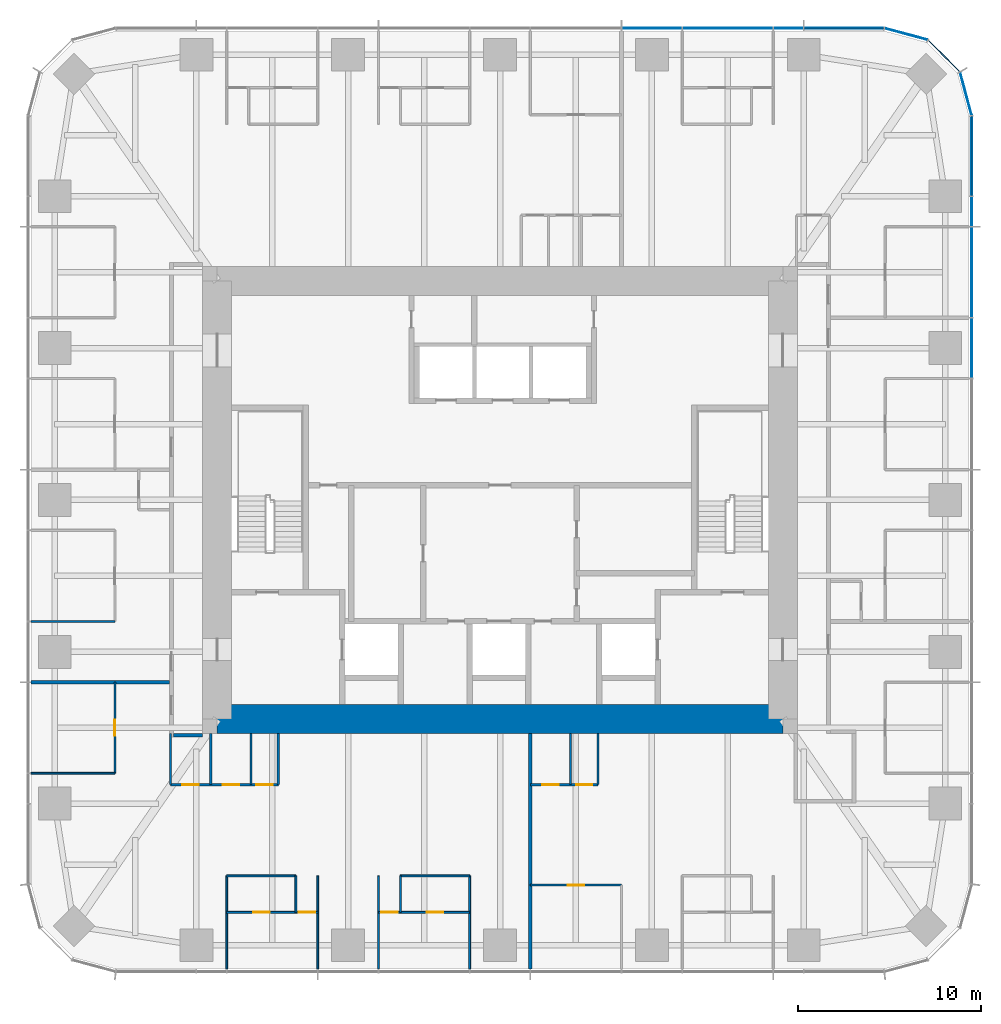
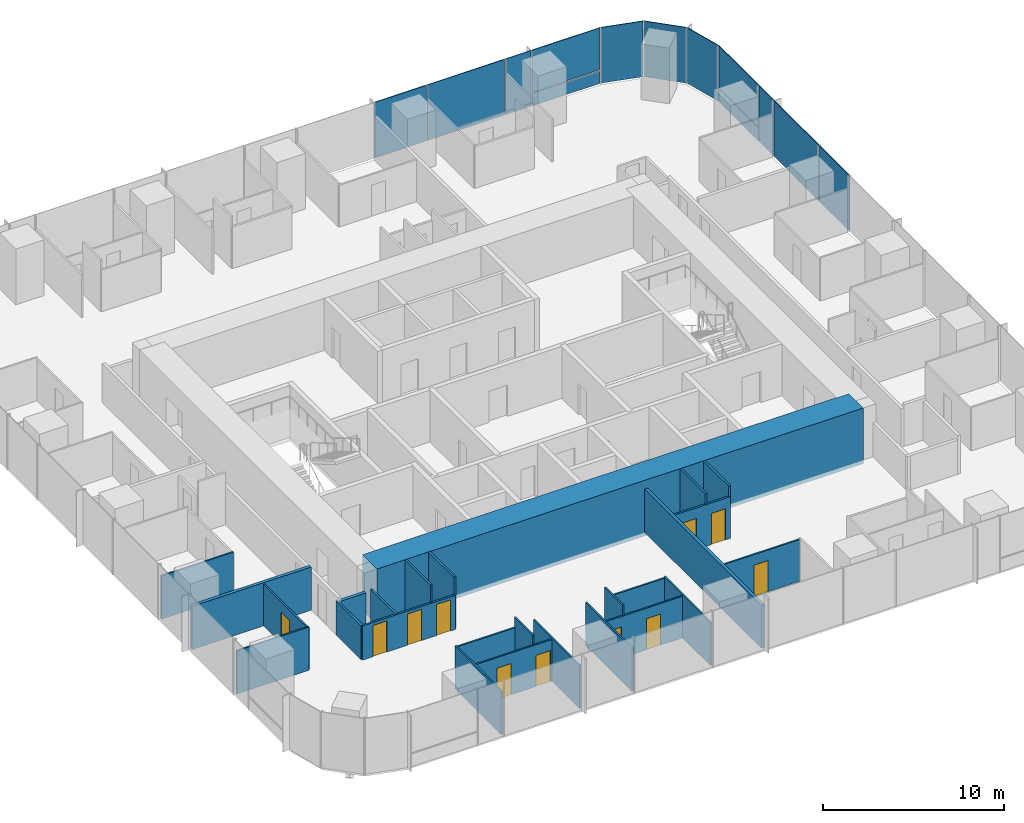
# One storey, part 8 of 13: 26 walls, 13 plates, 11 doors, 11 openings, 3 elements without a shape of their own.
"""IFC4 building model written with IfcOpenShell, lengths in metres."""

from ifc_helpers import new_model, si_unit, direction, frame, frame_2d, origin, origin_2d, place, context, subcontext, project, spatial, rectangle, extrude, material, layer, layer_set, type_object, element, fill, aggregate, save


model = new_model("IFC4")

# Units and contexts
model_context = context("Model", 3, precision=1e-05, world=origin(), true_north=direction((0.0, 1.0)))
body_context = subcontext(model_context, "Body", "Model", "MODEL_VIEW")
ifc_project = project(units=[si_unit("LENGTHUNIT", "METRE"), si_unit("AREAUNIT", "SQUARE_METRE"), si_unit("VOLUMEUNIT", "CUBIC_METRE"), si_unit("PLANEANGLEUNIT", "RADIAN"), si_unit("MASSUNIT", "GRAM", prefix="KILO")], contexts=[model_context])

# Site, building, storey
site_placement = place(None, origin())
site = spatial("IfcSite", under=ifc_project, at=site_placement, CompositionType="ELEMENT")
building_placement = place(site_placement, origin())
building = spatial("IfcBuilding", under=site, at=building_placement, Name="Khuree Lantern Residences", CompositionType="ELEMENT")
storey_placement = place(building_placement, frame((0.0, 0.0, 252.0)))
storey = spatial("IfcBuildingStorey", under=building, at=storey_placement, Name="L63", CompositionType="ELEMENT", Elevation=252.0)

# Curtain wall, plates
ifc_material_1 = material(Name="Bronze anodised aluminium", Category="aluminium")
curtain_wall_type_1 = type_object("IfcCurtainWallType", Name="CW-T2 TOWER CORNER CURTAIN WALL", PredefinedType="USERDEFINED", material=ifc_material_1)
curtain_wall_1_placement = place(storey_placement, origin())
curtain_wall_1 = element("IfcCurtainWall", 1, at=curtain_wall_1_placement, inside=storey, type_object=curtain_wall_type_1, Name="L63 NORTH-EAST CORNER CURTAIN WALL", ObjectType="Faceted corner curtain wall", PredefinedType="USERDEFINED")
ifc_material_2 = material(Name="Bronze tinted triple glazing", Category="glass")
ifc_layer_1 = layer(ifc_material_2, 0.048095703125)
ifc_layer_set_1 = layer_set([ifc_layer_1], Name="FACET PANEL P4")
plate_type_1 = type_object("IfcPlateType", Name="FACET PANEL P4", PredefinedType="CURTAIN_PANEL", material=ifc_layer_set_1)
plate_1_placement = place(storey_placement, frame((25.529052734375, 22.248046875, 0.0), z_axis=(0.0, 0.0, 1.0), x_axis=(-0.258819021888, 0.965925832509, 0.0)))
plate_1 = element("IfcPlate", 2, at=plate_1_placement, type_object=plate_type_1, Name="L63 NORTH-EAST CORNER PANEL 15.1", PredefinedType="CURTAIN_PANEL", context=body_context, shape_type="SweptSolid", body=[
    extrude(rectangle(XDim=2.40869140625, YDim=0.048095703125, at=origin_2d()), origin(), (0.0, 0.0, 1.0), 3.75),
])
plate_2_placement = place(storey_placement, frame((24.328369140625, 24.328369140625, 0.0), z_axis=(0.0, 0.0, 1.0), x_axis=(-0.707106781187, 0.707106781187, 0.0)))
plate_2 = element("IfcPlate", 3, at=plate_2_placement, type_object=plate_type_1, Name="L63 NORTH-EAST CORNER PANEL 16.1", PredefinedType="CURTAIN_PANEL", context=body_context, shape_type="SweptSolid", body=[
    extrude(rectangle(XDim=2.404541015625, YDim=0.048095703125, at=origin_2d()), origin(), (0.0, 0.0, 1.0), 3.75),
])
plate_3_placement = place(storey_placement, frame((22.248046875, 25.529052734375, 0.0), z_axis=(0.0, 0.0, 1.0), x_axis=(-0.965925832509, 0.258819021888, 0.0)))
plate_3 = element("IfcPlate", 4, at=plate_3_placement, type_object=plate_type_1, Name="L63 NORTH-EAST CORNER PANEL 17.1", PredefinedType="CURTAIN_PANEL", context=body_context, shape_type="SweptSolid", body=[
    extrude(rectangle(XDim=2.40869140625, YDim=0.048095703125, at=origin_2d()), origin(), (0.0, 0.0, 1.0), 3.75),
])
aggregate(curtain_wall_1, [plate_1, plate_2, plate_3])

# Curtain wall, plate
curtain_wall_type_2 = type_object("IfcCurtainWallType", Name="CW-T1 TOWER FACE CURTAIN WALL", PredefinedType="USERDEFINED", material=ifc_material_1)
curtain_wall_2_placement = place(storey_placement, origin())
curtain_wall_2 = element("IfcCurtainWall", 5, at=curtain_wall_2_placement, inside=storey, type_object=curtain_wall_type_2, Name="L63 EAST FACE CURTAIN WALL", ObjectType="Stick-built curtain wall", PredefinedType="USERDEFINED")
ifc_material_3 = material(Name="Bronze tinted triple glazing with a ceramic-fritted spandrel band", Category="glass")
ifc_layer_2 = layer(ifc_material_3, 0.048095703125)
ifc_layer_set_2 = layer_set([ifc_layer_2], Name="FIXED LIGHT PANEL P11")
plate_type_2 = type_object("IfcPlateType", Name="FIXED LIGHT PANEL P11", PredefinedType="CURTAIN_PANEL", material=ifc_layer_set_2)
plate_4_placement = place(storey_placement, frame((25.85009765625, 12.47998046875, 0.0), z_axis=(0.0, 0.0, 1.0), x_axis=(0.0, 1.0, 0.0)))
plate_4 = element("IfcPlate", 6, at=plate_4_placement, type_object=plate_type_2, Name="L63 EAST FACE PANEL 12.1", PredefinedType="CURTAIN_PANEL", context=body_context, shape_type="SweptSolid", body=[
    extrude(rectangle(XDim=4.927001953125, YDim=0.048095703125, at=origin_2d()), origin(), (0.0, 0.0, 1.0), 3.75),
])

curtain_wall_3_placement = place(storey_placement, origin())
curtain_wall_3 = element("IfcCurtainWall", 7, at=curtain_wall_3_placement, inside=storey, type_object=curtain_wall_type_2, Name="L63 NORTH FACE CURTAIN WALL", ObjectType="Stick-built curtain wall", PredefinedType="USERDEFINED")
plate_5_placement = place(storey_placement, frame((12.47998046875, 25.85009765625, 0.0), z_axis=(0.0, 0.0, 1.0), x_axis=(-1.0, 0.0, 0.0)))
plate_5 = element("IfcPlate", 8, at=plate_5_placement, type_object=plate_type_2, Name="L63 NORTH FACE PANEL 20.1", PredefinedType="CURTAIN_PANEL", context=body_context, shape_type="SweptSolid", body=[
    extrude(rectangle(XDim=4.927001953125, YDim=0.048095703125, at=origin_2d()), origin(), (0.0, 0.0, 1.0), 3.75),
])

# Plate
ifc_material_4 = material(Name="Bronze tinted triple glazing, two aluminium-framed sashes in one frame", Category="aluminium")
ifc_layer_3 = layer(ifc_material_4, 0.048095703125)
ifc_layer_set_3 = layer_set([ifc_layer_3], Name="SASH PAIR PANEL P12")
plate_type_3 = type_object("IfcPlateType", Name="SASH PAIR PANEL P12", PredefinedType="CURTAIN_PANEL", material=ifc_layer_set_3)
plate_6_placement = place(storey_placement, frame((25.85009765625, 8.320068359375, 0.0), z_axis=(0.0, 0.0, 1.0), x_axis=(0.0, 1.0, 0.0)))
plate_6 = element("IfcPlate", 9, at=plate_6_placement, type_object=plate_type_3, Name="L63 EAST FACE PANEL 11.1", PredefinedType="CURTAIN_PANEL", context=body_context, shape_type="SweptSolid", body=[
    extrude(rectangle(XDim=3.262939453125, YDim=0.048095703125, at=origin_2d()), origin(), (0.0, 0.0, 1.0), 3.75),
])

plate_7_placement = place(storey_placement, frame((8.320068359375, 25.85009765625, 0.0), z_axis=(0.0, 0.0, 1.0), x_axis=(-1.0, 0.0, 0.0)))
plate_7 = element("IfcPlate", 10, at=plate_7_placement, type_object=plate_type_3, Name="L63 NORTH FACE PANEL 21.1", PredefinedType="CURTAIN_PANEL", context=body_context, shape_type="SweptSolid", body=[
    extrude(rectangle(XDim=3.262939453125, YDim=0.048095703125, at=origin_2d()), origin(), (0.0, 0.0, 1.0), 3.75),
])

ifc_material_5 = material(Name="Bronze tinted triple glazing, aluminium-framed sash", Category="aluminium")
ifc_layer_4 = layer(ifc_material_5, 0.048095703125)
ifc_layer_set_4 = layer_set([ifc_layer_4], Name="SASH PANEL P3")
plate_type_4 = type_object("IfcPlateType", Name="SASH PANEL P3", PredefinedType="CURTAIN_PANEL", material=ifc_layer_set_4)
plate_8_placement = place(storey_placement, frame((25.85009765625, 15.80810546875, 0.0), z_axis=(0.0, 0.0, 1.0), x_axis=(0.0, 1.0, 0.0)))
plate_8 = element("IfcPlate", 11, at=plate_8_placement, type_object=plate_type_4, Name="L63 EAST FACE PANEL 13.1", PredefinedType="CURTAIN_PANEL", context=body_context, shape_type="SweptSolid", body=[
    extrude(rectangle(XDim=1.59912109375, YDim=0.048095703125, at=origin_2d()), origin(), (0.0, 0.0, 1.0), 3.75),
])

plate_9_placement = place(storey_placement, frame((15.80810546875, 25.85009765625, 0.0), z_axis=(0.0, 0.0, 1.0), x_axis=(-1.0, 0.0, 0.0)))
plate_9 = element("IfcPlate", 12, at=plate_9_placement, type_object=plate_type_4, Name="L63 NORTH FACE PANEL 19.1", PredefinedType="CURTAIN_PANEL", context=body_context, shape_type="SweptSolid", body=[
    extrude(rectangle(XDim=1.59912109375, YDim=0.048095703125, at=origin_2d()), origin(), (0.0, 0.0, 1.0), 3.75),
])

ifc_material_6 = material(Name="Bronze anodised aluminium insulated spandrel", Category="aluminium")
ifc_layer_5 = layer(ifc_material_6, 0.06005859375)
ifc_layer_set_5 = layer_set([ifc_layer_5], Name="SPANDREL PANEL P2")
plate_type_5 = type_object("IfcPlateType", Name="SPANDREL PANEL P2", PredefinedType="CURTAIN_PANEL", material=ifc_layer_set_5)
plate_10_placement = place(storey_placement, frame((25.85009765625, 18.8427734375, 0.0), z_axis=(0.0, 0.0, 1.0), x_axis=(0.0, 1.0, 0.0)))
plate_10 = element("IfcPlate", 13, at=plate_10_placement, type_object=plate_type_5, Name="L63 EAST FACE PANEL 14.1", PredefinedType="CURTAIN_PANEL", context=body_context, shape_type="SweptSolid", body=[
    extrude(rectangle(XDim=4.3408203125, YDim=0.06005859375, at=origin_2d()), origin(), (0.0, 0.0, 1.0), 0.867431640625),
])

plate_11_placement = place(storey_placement, frame((18.8427734375, 25.85009765625, 0.0), z_axis=(0.0, 0.0, 1.0), x_axis=(-1.0, 0.0, 0.0)))
plate_11 = element("IfcPlate", 14, at=plate_11_placement, type_object=plate_type_5, Name="L63 NORTH FACE PANEL 18.1", PredefinedType="CURTAIN_PANEL", context=body_context, shape_type="SweptSolid", body=[
    extrude(rectangle(XDim=4.3408203125, YDim=0.06005859375, at=origin_2d()), origin(), (0.0, 0.0, 1.0), 0.867431640625),
])

ifc_layer_6 = layer(ifc_material_2, 0.048095703125)
ifc_layer_set_6 = layer_set([ifc_layer_6], Name="VISION PANEL P1")
plate_type_6 = type_object("IfcPlateType", Name="VISION PANEL P1", PredefinedType="CURTAIN_PANEL", material=ifc_layer_set_6)
plate_12_placement = place(storey_placement, frame((25.85009765625, 18.84326171875, 0.9326171875), z_axis=(0.0, 0.0, 1.0), x_axis=(0.0, 1.0, 0.0)))
plate_12 = element("IfcPlate", 15, at=plate_12_placement, type_object=plate_type_6, Name="L63 EAST FACE PANEL 14.2", PredefinedType="CURTAIN_PANEL", context=body_context, shape_type="SweptSolid", body=[
    extrude(rectangle(XDim=4.341552734375, YDim=0.048095703125, at=origin_2d()), origin(), (0.0, 0.0, 1.0), 2.8173828125),
])

aggregate(curtain_wall_2, [plate_6, plate_4, plate_8, plate_10, plate_12])

plate_13_placement = place(storey_placement, frame((18.84326171875, 25.85009765625, 0.9326171875), z_axis=(0.0, 0.0, 1.0), x_axis=(-1.0, 0.0, 0.0)))
plate_13 = element("IfcPlate", 16, at=plate_13_placement, type_object=plate_type_6, Name="L63 NORTH FACE PANEL 18.2", PredefinedType="CURTAIN_PANEL", context=body_context, shape_type="SweptSolid", body=[
    extrude(rectangle(XDim=4.341552734375, YDim=0.048095703125, at=origin_2d()), origin(), (0.0, 0.0, 1.0), 2.8173828125),
])

aggregate(curtain_wall_3, [plate_11, plate_13, plate_9, plate_5, plate_7])

# Wall, openings, doors
ifc_material_7 = material(Name="Moisture-resistant gypsum board on steel studs", Category="steel")
ifc_layer_7 = layer(ifc_material_7, 0.125)
ifc_layer_set_7 = layer_set([ifc_layer_7], Name="BATHROOM WALL BTW125")
wall_type_1 = type_object("IfcWallType", Name="BATHROOM WALL BTW125", PredefinedType="PARTITIONING", material=ifc_layer_set_7)
wall_1_placement = place(storey_placement, frame((-18.050048828125, -15.60009765625, 0.0), z_axis=(0.0, 0.0, 1.0), x_axis=(1.0, 0.0, 0.0)))
wall_1 = element("IfcWall", 17, at=wall_1_placement, inside=storey, type_object=wall_type_1, Name="L63 BATHROOM WALL 05", PredefinedType="PARTITIONING", context=body_context, shape_type="SweptSolid", body=[
    extrude(rectangle(XDim=5.900146484375, YDim=0.125, at=frame_2d((2.9501953125, 0.0))), origin(), (0.0, 0.0, 1.0), 2.300048828125),
])
opening_1_placement = place(wall_1_placement, frame((0.64990234375, 0.0, 0.0)))
opening_1 = element("IfcOpeningElement", 18, at=opening_1_placement, cuts=wall_1, Name="Opening 63-050", PredefinedType="OPENING", context=body_context, shape_type="SweptSolid", body=[
    extrude(rectangle(XDim=0.89990234375, YDim=2.10009765625, at=frame_2d((0.449951171875, 1.050048828125))), frame((0.0, 0.072509765625, 0.0), z_axis=(0.0, -1.0, 0.0), x_axis=(1.0, 0.0, 0.0)), (0.0, 0.0, 1.0), 0.14501953125),
])
opening_2_placement = place(wall_1_placement, frame((2.85009765625, 0.0, 0.0)))
opening_2 = element("IfcOpeningElement", 19, at=opening_2_placement, cuts=wall_1, Name="Opening 63-051", PredefinedType="OPENING", context=body_context, shape_type="SweptSolid", body=[
    extrude(rectangle(XDim=0.89990234375, YDim=2.10009765625, at=frame_2d((0.449951171875, 1.050048828125))), frame((0.0, 0.072509765625, 0.0), z_axis=(0.0, -1.0, 0.0), x_axis=(1.0, 0.0, 0.0)), (0.0, 0.0, 1.0), 0.14501953125),
])
opening_3_placement = place(wall_1_placement, frame((4.699951171875, 0.0, 0.0)))
opening_3 = element("IfcOpeningElement", 20, at=opening_3_placement, cuts=wall_1, Name="Opening 63-052", PredefinedType="OPENING", context=body_context, shape_type="SweptSolid", body=[
    extrude(rectangle(XDim=0.89990234375, YDim=2.10009765625, at=frame_2d((0.449951171875, 1.050048828125))), frame((0.0, 0.072509765625, 0.0), z_axis=(0.0, -1.0, 0.0), x_axis=(1.0, 0.0, 0.0)), (0.0, 0.0, 1.0), 0.14501953125),
])
ifc_material_8 = material(Name="Timber door leaf in hardwood frame", Category="wood")
door_type_1 = type_object("IfcDoorType", Name="BATHROOM DOOR 900X2100", OperationType="SINGLE_SWING_LEFT", PredefinedType="DOOR", material=ifc_material_8)
door_1_placement = place(opening_1_placement, origin())
door_1 = element("IfcDoor", 21, at=door_1_placement, inside=storey, type_object=door_type_1, Name="Bathroom door 63-050", OperationType="SINGLE_SWING_LEFT", OverallHeight=2.10009765625, OverallWidth=0.89990234375, PredefinedType="DOOR", context=body_context, shape_type="SweptSolid", body=[
    extrude(rectangle(XDim=0.89990234375, YDim=2.10009765625, at=frame_2d((0.449951171875, 1.050048828125))), frame((0.0, 0.02490234375, 0.0), z_axis=(0.0, -1.0, 0.0), x_axis=(1.0, 0.0, 0.0)), (0.0, 0.0, 1.0), 0.050048828125),
])
fill(opening_1, door_1)
door_2_placement = place(opening_2_placement, origin())
door_2 = element("IfcDoor", 22, at=door_2_placement, inside=storey, type_object=door_type_1, Name="Bathroom door 63-051", OperationType="SINGLE_SWING_LEFT", OverallHeight=2.10009765625, OverallWidth=0.89990234375, PredefinedType="DOOR", context=body_context, shape_type="SweptSolid", body=[
    extrude(rectangle(XDim=0.89990234375, YDim=2.10009765625, at=frame_2d((0.449951171875, 1.050048828125))), frame((0.0, 0.02490234375, 0.0), z_axis=(0.0, -1.0, 0.0), x_axis=(1.0, 0.0, 0.0)), (0.0, 0.0, 1.0), 0.050048828125),
])
fill(opening_2, door_2)
door_type_2 = type_object("IfcDoorType", Name="WC DOOR 900X2100", OperationType="SINGLE_SWING_LEFT", PredefinedType="DOOR", material=ifc_material_8)
door_3_placement = place(opening_3_placement, origin())
door_3 = element("IfcDoor", 23, at=door_3_placement, inside=storey, type_object=door_type_2, Name="WC door 63-052", OperationType="SINGLE_SWING_LEFT", OverallHeight=2.10009765625, OverallWidth=0.89990234375, PredefinedType="DOOR", context=body_context, shape_type="SweptSolid", body=[
    extrude(rectangle(XDim=0.89990234375, YDim=2.10009765625, at=frame_2d((0.449951171875, 1.050048828125))), frame((0.0, 0.02490234375, 0.0), z_axis=(0.0, -1.0, 0.0), x_axis=(1.0, 0.0, 0.0)), (0.0, 0.0, 1.0), 0.050048828125),
])
fill(opening_3, door_3)

# Walls
for number, where, z_axis, x_axis, name in (
    (24, (-18.050048828125, -12.800048828125, 0.0), (0.0, 0.0, 1.0), (0.0, -1.0, 0.0), "L63 BATHROOM WALL 05"),
    (25, (-15.85009765625, -12.800048828125, 0.0), (0.0, 0.0, 1.0), (0.0, -1.0, 0.0), "L63 BATHROOM WALL 05"),
):
    element("IfcWall", number, at=place(storey_placement, frame(where, z_axis=z_axis, x_axis=x_axis)), inside=storey, type_object=wall_type_1, Name=name, PredefinedType="PARTITIONING", context=body_context, shape_type="SweptSolid", body=[
        extrude(rectangle(XDim=2.800048828125, YDim=0.125, at=frame_2d((1.39990234375, 0.0))), origin(), (0.0, 0.0, 1.0), 2.300048828125),
    ])
for number, where, z_axis, x_axis, name in (
    (26, (-13.64990234375, -12.800048828125, 0.0), (0.0, 0.0, 1.0), (0.0, -1.0, 0.0), "L63 BATHROOM WALL 05"),
    (27, (-12.14990234375, -12.800048828125, 0.0), (0.0, 0.0, 1.0), (0.0, -1.0, 0.0), "L63 BATHROOM WALL 05"),
):
    element("IfcWall", number, at=place(storey_placement, frame(where, z_axis=z_axis, x_axis=x_axis)), inside=storey, type_object=wall_type_1, Name=name, PredefinedType="PARTITIONING", context=body_context, shape_type="SweptSolid", body=[
        extrude(rectangle(XDim=2.800048828125, YDim=0.125, at=frame_2d((1.39990234375, 0.0))), origin(), (0.0, 0.0, 1.0), 3.5),
    ])

# Wall, openings, doors
wall_2_placement = place(storey_placement, frame((1.6640625, -15.60009765625, 0.0), z_axis=(0.0, 0.0, 1.0), x_axis=(1.0, 0.0, 0.0)))
wall_2 = element("IfcWall", 28, at=wall_2_placement, inside=storey, type_object=wall_type_1, Name="L63 BATHROOM WALL 06", PredefinedType="PARTITIONING", context=body_context, shape_type="SweptSolid", body=[
    extrude(rectangle(XDim=3.699951171875, YDim=0.125, at=frame_2d((1.85009765625, 0.0))), origin(), (0.0, 0.0, 1.0), 2.81005859375),
])
opening_4_placement = place(wall_2_placement, frame((0.64990234375, 0.0, 0.0)))
opening_4 = element("IfcOpeningElement", 29, at=opening_4_placement, cuts=wall_2, Name="Opening 63-058", PredefinedType="OPENING", context=body_context, shape_type="SweptSolid", body=[
    extrude(rectangle(XDim=0.89990234375, YDim=2.10009765625, at=frame_2d((0.449951171875, 1.050048828125))), frame((0.0, 0.072509765625, 0.0), z_axis=(0.0, -1.0, 0.0), x_axis=(1.0, 0.0, 0.0)), (0.0, 0.0, 1.0), 0.14501953125),
])
opening_5_placement = place(wall_2_placement, frame((2.5, 0.0, 0.0)))
opening_5 = element("IfcOpeningElement", 30, at=opening_5_placement, cuts=wall_2, Name="Opening 63-059", PredefinedType="OPENING", context=body_context, shape_type="SweptSolid", body=[
    extrude(rectangle(XDim=0.89990234375, YDim=2.10009765625, at=frame_2d((0.449951171875, 1.050048828125))), frame((0.0, 0.072509765625, 0.0), z_axis=(0.0, -1.0, 0.0), x_axis=(1.0, 0.0, 0.0)), (0.0, 0.0, 1.0), 0.14501953125),
])
door_4_placement = place(opening_4_placement, origin())
door_4 = element("IfcDoor", 31, at=door_4_placement, inside=storey, type_object=door_type_1, Name="Bathroom door 63-058", OperationType="SINGLE_SWING_LEFT", OverallHeight=2.10009765625, OverallWidth=0.89990234375, PredefinedType="DOOR", context=body_context, shape_type="SweptSolid", body=[
    extrude(rectangle(XDim=0.89990234375, YDim=2.10009765625, at=frame_2d((0.449951171875, 1.050048828125))), frame((0.0, 0.02490234375, 0.0), z_axis=(0.0, -1.0, 0.0), x_axis=(1.0, 0.0, 0.0)), (0.0, 0.0, 1.0), 0.050048828125),
])
fill(opening_4, door_4)
door_5_placement = place(opening_5_placement, origin())
door_5 = element("IfcDoor", 32, at=door_5_placement, inside=storey, type_object=door_type_2, Name="WC door 63-059", OperationType="SINGLE_SWING_LEFT", OverallHeight=2.10009765625, OverallWidth=0.89990234375, PredefinedType="DOOR", context=body_context, shape_type="SweptSolid", body=[
    extrude(rectangle(XDim=0.89990234375, YDim=2.10009765625, at=frame_2d((0.449951171875, 1.050048828125))), frame((0.0, 0.02490234375, 0.0), z_axis=(0.0, -1.0, 0.0), x_axis=(1.0, 0.0, 0.0)), (0.0, 0.0, 1.0), 0.050048828125),
])
fill(opening_5, door_5)

# Walls
for number, where, z_axis, x_axis, name in (
    (33, (3.864013671875, -12.800048828125, 0.0), (0.0, 0.0, 1.0), (0.0, -1.0, 0.0), "L63 BATHROOM WALL 06"),
    (34, (5.364013671875, -12.800048828125, 0.0), (0.0, 0.0, 1.0), (0.0, -1.0, 0.0), "L63 BATHROOM WALL 06"),
):
    element("IfcWall", number, at=place(storey_placement, frame(where, z_axis=z_axis, x_axis=x_axis)), inside=storey, type_object=wall_type_1, Name=name, PredefinedType="PARTITIONING", context=body_context, shape_type="SweptSolid", body=[
        extrude(rectangle(XDim=2.800048828125, YDim=0.125, at=frame_2d((1.39990234375, 0.0))), origin(), (0.0, 0.0, 1.0), 3.5),
    ])
ifc_material_9 = material(Name="Gypsum board on steel studs", Category="steel")
ifc_layer_8 = layer(ifc_material_9, 0.199951171875)
ifc_layer_set_8 = layer_set([ifc_layer_8], Name="CORRIDOR WALL CRW200 EI 60")
wall_type_2 = type_object("IfcWallType", Name="CORRIDOR WALL CRW200 EI 60", PredefinedType="PARTITIONING", material=ifc_layer_set_8)
wall_3_placement = place(storey_placement, frame((-16.300048828125, -12.89990234375, 0.0), z_axis=(0.0, 0.0, 1.0), x_axis=(-1.0, 0.0, 0.0)))
element("IfcWall", 35, at=wall_3_placement, inside=storey, type_object=wall_type_2, Name="L63 WEST CORRIDOR SOUTH END WALL", PredefinedType="PARTITIONING", context=body_context, shape_type="SweptSolid", body=[
    extrude(rectangle(XDim=1.599853515625, YDim=0.199951171875, at=frame_2d((0.7998046875, 0.0))), origin(), (0.0, 0.0, 1.0), 2.300048828125),
])
ifc_material_10 = material(Name="Concrete C50/60", Category="concrete")
ifc_layer_9 = layer(ifc_material_10, 1.60009765625)
ifc_layer_set_9 = layer_set([ifc_layer_9], Name="CW1600-C50 CORE WALL C50 1600")
wall_type_3 = type_object("IfcWallType", Name="CW1600-C50 CORE WALL C50 1600", PredefinedType="SHEAR", material=ifc_layer_set_9)
wall_4_placement = place(storey_placement, frame((-15.5, -12.0, -0.25), z_axis=(0.0, 0.0, 1.0), x_axis=(1.0, 0.0, 0.0)))
element("IfcWall", 36, at=wall_4_placement, inside=storey, type_object=wall_type_3, Name="Core wall S", PredefinedType="SHEAR", context=body_context, shape_type="SweptSolid", body=[
    extrude(rectangle(XDim=31.0, YDim=1.60009765625, at=frame_2d((15.5, 0.0))), origin(), (0.0, 0.0, 1.0), 3.75),
])
ifc_layer_10 = layer(ifc_material_9, 0.199951171875)
ifc_layer_set_10 = layer_set([ifc_layer_10], Name="DEMISING WALL DMW200 EI 90")
wall_type_4 = type_object("IfcWallType", Name="DEMISING WALL DMW200 EI 90", PredefinedType="PARTITIONING", material=ifc_layer_set_10)
wall_5_placement = place(storey_placement, frame((-18.10009765625, -9.98388671875, 0.0), z_axis=(0.0, 0.0, 1.0), x_axis=(-1.0, 0.0, 0.0)))
element("IfcWall", 37, at=wall_5_placement, inside=storey, type_object=wall_type_4, Name="L63 DEMISING WALL 05", PredefinedType="PARTITIONING", context=body_context, shape_type="SweptSolid", body=[
    extrude(rectangle(XDim=7.599853515625, YDim=0.199951171875, at=frame_2d((3.7998046875, 0.0))), origin(), (0.0, 0.0, 1.0), 2.909912109375),
])
wall_6_placement = place(storey_placement, frame((1.6640625, -12.800048828125, 0.0), z_axis=(0.0, 0.0, 1.0), x_axis=(0.0, -1.0, 0.0)))
element("IfcWall", 38, at=wall_6_placement, inside=storey, type_object=wall_type_4, Name="L63 DEMISING WALL 06", PredefinedType="PARTITIONING", context=body_context, shape_type="SweptSolid", body=[
    extrude(rectangle(XDim=12.89990234375, YDim=0.199951171875, at=frame_2d((6.449951171875, 0.0))), origin(), (0.0, 0.0, 1.0), 2.909912109375),
])
ifc_layer_11 = layer(ifc_material_9, 0.10009765625)
ifc_layer_set_11 = layer_set([ifc_layer_11], Name="PARTITION PT100")
wall_type_5 = type_object("IfcWallType", Name="PARTITION PT100", PredefinedType="PARTITIONING", material=ifc_layer_set_11)
for number, where, z_axis, x_axis, name in (
    (39, (-21.10009765625, -6.656005859375, 0.0), (0.0, 0.0, 1.0), (-1.0, 0.0, 0.0), "L63 PARTITION 04"),
    (40, (-21.10009765625, -14.97607421875, 0.0), (0.0, 0.0, 1.0), (-1.0, 0.0, 0.0), "L63 PARTITION 05"),
):
    element("IfcWall", number, at=place(storey_placement, frame(where, z_axis=z_axis, x_axis=x_axis)), inside=storey, type_object=wall_type_5, Name=name, PredefinedType="PARTITIONING", context=body_context, shape_type="SweptSolid", body=[
        extrude(rectangle(XDim=4.599853515625, YDim=0.10009765625, at=frame_2d((2.2998046875, 0.0))), origin(), (0.0, 0.0, 1.0), 2.909912109375),
    ])
for number, where, z_axis, x_axis, name in (
    (41, (-14.97607421875, -20.594970703125, 0.0), (0.0, 0.0, 1.0), (0.0, -1.0, 0.0), "L63 PARTITION 05"),
    (42, (-9.98388671875, -20.594970703125, 0.0), (0.0, 0.0, 1.0), (0.0, -1.0, 0.0), "L63 PARTITION 05"),
    (43, (-6.656005859375, -20.594970703125, 0.0), (0.0, 0.0, 1.0), (0.0, -1.0, 0.0), "L63 PARTITION 05"),
    (44, (-1.6640625, -20.594970703125, 0.0), (0.0, 0.0, 1.0), (0.0, -1.0, 0.0), "L63 PARTITION 05"),
):
    element("IfcWall", number, at=place(storey_placement, frame(where, z_axis=z_axis, x_axis=x_axis)), inside=storey, type_object=wall_type_5, Name=name, PredefinedType="PARTITIONING", context=body_context, shape_type="SweptSolid", body=[
        extrude(rectangle(XDim=5.10498046875, YDim=0.10009765625, at=frame_2d((2.552490234375, 0.0))), origin(), (0.0, 0.0, 1.0), 2.909912109375),
    ])

# Wall, opening, door
wall_7_placement = place(storey_placement, frame((-21.10009765625, -9.98388671875, 0.0), z_axis=(0.0, 0.0, 1.0), x_axis=(0.0, -1.0, 0.0)))
wall_7 = element("IfcWall", 45, at=wall_7_placement, inside=storey, type_object=wall_type_5, Name="L63 PARTITION 05", PredefinedType="PARTITIONING", context=body_context, shape_type="SweptSolid", body=[
    extrude(rectangle(XDim=4.9921875, YDim=0.10009765625, at=frame_2d((2.49609375, 0.0))), origin(), (0.0, 0.0, 1.0), 2.81005859375),
])
opening_6_placement = place(wall_7_placement, frame((2.0458984375, 0.0, 0.0)))
opening_6 = element("IfcOpeningElement", 46, at=opening_6_placement, cuts=wall_7, Name="Opening 63-045", PredefinedType="OPENING", context=body_context, shape_type="SweptSolid", body=[
    extrude(rectangle(XDim=0.89990234375, YDim=2.10009765625, at=frame_2d((0.449951171875, 1.050048828125))), frame((0.0, 0.06005859375, 0.0), z_axis=(0.0, -1.0, 0.0), x_axis=(1.0, 0.0, 0.0)), (0.0, 0.0, 1.0), 0.1201171875),
])
door_type_3 = type_object("IfcDoorType", Name="BEDROOM DOOR 900X2100", OperationType="SINGLE_SWING_LEFT", PredefinedType="DOOR", material=ifc_material_8)
door_6_placement = place(opening_6_placement, origin())
door_6 = element("IfcDoor", 47, at=door_6_placement, inside=storey, type_object=door_type_3, Name="Bedroom door 63-045", OperationType="SINGLE_SWING_LEFT", OverallHeight=2.10009765625, OverallWidth=0.89990234375, PredefinedType="DOOR", context=body_context, shape_type="SweptSolid", body=[
    extrude(rectangle(XDim=0.89990234375, YDim=2.10009765625, at=frame_2d((0.449951171875, 1.050048828125))), frame((0.0, 0.02490234375, 0.0), z_axis=(0.0, -1.0, 0.0), x_axis=(1.0, 0.0, 0.0)), (0.0, 0.0, 1.0), 0.050048828125),
])
fill(opening_6, door_6)

# Wall, openings, doors
wall_8_placement = place(storey_placement, frame((-14.97607421875, -22.594970703125, 0.0), z_axis=(0.0, 0.0, 1.0), x_axis=(1.0, 0.0, 0.0)))
wall_8 = element("IfcWall", 48, at=wall_8_placement, inside=storey, type_object=wall_type_5, Name="L63 PARTITION 05", PredefinedType="PARTITIONING", context=body_context, shape_type="SweptSolid", body=[
    extrude(rectangle(XDim=4.9921875, YDim=0.10009765625, at=frame_2d((2.49609375, 0.0))), origin(), (0.0, 0.0, 1.0), 2.81005859375),
])
opening_7_placement = place(wall_8_placement, frame((3.94189453125, 0.0, 0.0)))
opening_7 = element("IfcOpeningElement", 49, at=opening_7_placement, cuts=wall_8, Name="Opening 63-046", PredefinedType="OPENING", context=body_context, shape_type="SweptSolid", body=[
    extrude(rectangle(XDim=0.89990234375, YDim=2.10009765625, at=frame_2d((0.449951171875, 1.050048828125))), frame((0.0, 0.06005859375, 0.0), z_axis=(0.0, -1.0, 0.0), x_axis=(1.0, 0.0, 0.0)), (0.0, 0.0, 1.0), 0.1201171875),
])
opening_8_placement = place(wall_8_placement, frame((1.446044921875, 0.0, 0.0)))
opening_8 = element("IfcOpeningElement", 50, at=opening_8_placement, cuts=wall_8, Name="Opening 63-047", PredefinedType="OPENING", context=body_context, shape_type="SweptSolid", body=[
    extrude(rectangle(XDim=0.89990234375, YDim=2.10009765625, at=frame_2d((0.449951171875, 1.050048828125))), frame((0.0, 0.06005859375, 0.0), z_axis=(0.0, -1.0, 0.0), x_axis=(1.0, 0.0, 0.0)), (0.0, 0.0, 1.0), 0.1201171875),
])
door_7_placement = place(opening_7_placement, origin())
door_7 = element("IfcDoor", 51, at=door_7_placement, inside=storey, type_object=door_type_3, Name="Bedroom door 63-046", OperationType="SINGLE_SWING_LEFT", OverallHeight=2.10009765625, OverallWidth=0.89990234375, PredefinedType="DOOR", context=body_context, shape_type="SweptSolid", body=[
    extrude(rectangle(XDim=0.89990234375, YDim=2.10009765625, at=frame_2d((0.449951171875, 1.050048828125))), frame((0.0, 0.02490234375, 0.0), z_axis=(0.0, -1.0, 0.0), x_axis=(1.0, 0.0, 0.0)), (0.0, 0.0, 1.0), 0.050048828125),
])
fill(opening_7, door_7)
door_type_4 = type_object("IfcDoorType", Name="DOOR 900X2100", OperationType="SINGLE_SWING_LEFT", PredefinedType="DOOR", material=ifc_material_8)
door_8_placement = place(opening_8_placement, origin())
door_8 = element("IfcDoor", 52, at=door_8_placement, inside=storey, type_object=door_type_4, Name="Wardrobe door 63-047", OperationType="SINGLE_SWING_LEFT", OverallHeight=2.10009765625, OverallWidth=0.89990234375, PredefinedType="DOOR", context=body_context, shape_type="SweptSolid", body=[
    extrude(rectangle(XDim=0.89990234375, YDim=2.10009765625, at=frame_2d((0.449951171875, 1.050048828125))), frame((0.0, 0.02490234375, 0.0), z_axis=(0.0, -1.0, 0.0), x_axis=(1.0, 0.0, 0.0)), (0.0, 0.0, 1.0), 0.050048828125),
])
fill(opening_8, door_8)

# Walls
wall_9_placement = place(storey_placement, frame((-11.18408203125, -20.594970703125, 0.0), z_axis=(0.0, 0.0, 1.0), x_axis=(0.0, -1.0, 0.0)))
element("IfcWall", 53, at=wall_9_placement, inside=storey, type_object=wall_type_5, Name="L63 PARTITION 05", PredefinedType="PARTITIONING", context=body_context, shape_type="SweptSolid", body=[
    extrude(rectangle(XDim=2.0, YDim=0.10009765625, at=frame_2d((1.0, 0.0))), origin(), (0.0, 0.0, 1.0), 3.5),
])
wall_10_placement = place(storey_placement, frame((-14.97607421875, -20.594970703125, 0.0), z_axis=(0.0, 0.0, 1.0), x_axis=(1.0, 0.0, 0.0)))
element("IfcWall", 54, at=wall_10_placement, inside=storey, type_object=wall_type_5, Name="L63 PARTITION 05", PredefinedType="PARTITIONING", context=body_context, shape_type="SweptSolid", body=[
    extrude(rectangle(XDim=3.7919921875, YDim=0.10009765625, at=frame_2d((1.89599609375, 0.0))), origin(), (0.0, 0.0, 1.0), 2.81005859375),
])

# Wall, openings, doors
wall_11_placement = place(storey_placement, frame((-6.656005859375, -22.594970703125, 0.0), z_axis=(0.0, 0.0, 1.0), x_axis=(1.0, 0.0, 0.0)))
wall_11 = element("IfcWall", 55, at=wall_11_placement, inside=storey, type_object=wall_type_5, Name="L63 PARTITION 05", PredefinedType="PARTITIONING", context=body_context, shape_type="SweptSolid", body=[
    extrude(rectangle(XDim=4.991943359375, YDim=0.10009765625, at=frame_2d((2.49609375, 0.0))), origin(), (0.0, 0.0, 1.0), 2.81005859375),
])
opening_9_placement = place(wall_11_placement, frame((0.14990234375, 0.0, 0.0)))
opening_9 = element("IfcOpeningElement", 56, at=opening_9_placement, cuts=wall_11, Name="Opening 63-048", PredefinedType="OPENING", context=body_context, shape_type="SweptSolid", body=[
    extrude(rectangle(XDim=0.89990234375, YDim=2.10009765625, at=frame_2d((0.449951171875, 1.050048828125))), frame((0.0, 0.06005859375, 0.0), z_axis=(0.0, -1.0, 0.0), x_axis=(1.0, 0.0, 0.0)), (0.0, 0.0, 1.0), 0.1201171875),
])
opening_10_placement = place(wall_11_placement, frame((2.64599609375, 0.0, 0.0)))
opening_10 = element("IfcOpeningElement", 57, at=opening_10_placement, cuts=wall_11, Name="Opening 63-049", PredefinedType="OPENING", context=body_context, shape_type="SweptSolid", body=[
    extrude(rectangle(XDim=0.89990234375, YDim=2.10009765625, at=frame_2d((0.449951171875, 1.050048828125))), frame((0.0, 0.06005859375, 0.0), z_axis=(0.0, -1.0, 0.0), x_axis=(1.0, 0.0, 0.0)), (0.0, 0.0, 1.0), 0.1201171875),
])
door_9_placement = place(opening_9_placement, origin())
door_9 = element("IfcDoor", 58, at=door_9_placement, inside=storey, type_object=door_type_3, Name="Bedroom door 63-048", OperationType="SINGLE_SWING_LEFT", OverallHeight=2.10009765625, OverallWidth=0.89990234375, PredefinedType="DOOR", context=body_context, shape_type="SweptSolid", body=[
    extrude(rectangle(XDim=0.89990234375, YDim=2.10009765625, at=frame_2d((0.449951171875, 1.050048828125))), frame((0.0, 0.02490234375, 0.0), z_axis=(0.0, -1.0, 0.0), x_axis=(1.0, 0.0, 0.0)), (0.0, 0.0, 1.0), 0.050048828125),
])
fill(opening_9, door_9)
door_10_placement = place(opening_10_placement, origin())
door_10 = element("IfcDoor", 59, at=door_10_placement, inside=storey, type_object=door_type_4, Name="Wardrobe door 63-049", OperationType="SINGLE_SWING_LEFT", OverallHeight=2.10009765625, OverallWidth=0.89990234375, PredefinedType="DOOR", context=body_context, shape_type="SweptSolid", body=[
    extrude(rectangle(XDim=0.89990234375, YDim=2.10009765625, at=frame_2d((0.449951171875, 1.050048828125))), frame((0.0, 0.02490234375, 0.0), z_axis=(0.0, -1.0, 0.0), x_axis=(1.0, 0.0, 0.0)), (0.0, 0.0, 1.0), 0.050048828125),
])
fill(opening_10, door_10)

# Walls
wall_12_placement = place(storey_placement, frame((-5.4560546875, -20.594970703125, 0.0), z_axis=(0.0, 0.0, 1.0), x_axis=(0.0, -1.0, 0.0)))
element("IfcWall", 60, at=wall_12_placement, inside=storey, type_object=wall_type_5, Name="L63 PARTITION 05", PredefinedType="PARTITIONING", context=body_context, shape_type="SweptSolid", body=[
    extrude(rectangle(XDim=2.0, YDim=0.10009765625, at=frame_2d((1.0, 0.0))), origin(), (0.0, 0.0, 1.0), 3.5),
])
wall_13_placement = place(storey_placement, frame((-5.4560546875, -20.594970703125, 0.0), z_axis=(0.0, 0.0, 1.0), x_axis=(1.0, 0.0, 0.0)))
element("IfcWall", 61, at=wall_13_placement, inside=storey, type_object=wall_type_5, Name="L63 PARTITION 05", PredefinedType="PARTITIONING", context=body_context, shape_type="SweptSolid", body=[
    extrude(rectangle(XDim=3.7919921875, YDim=0.10009765625, at=frame_2d((1.89599609375, 0.0))), origin(), (0.0, 0.0, 1.0), 2.81005859375),
])

# Wall, opening, door
wall_14_placement = place(storey_placement, frame((1.6640625, -21.10009765625, 0.0), z_axis=(0.0, 0.0, 1.0), x_axis=(1.0, 0.0, 0.0)))
wall_14 = element("IfcWall", 62, at=wall_14_placement, inside=storey, type_object=wall_type_5, Name="L63 PARTITION 06", PredefinedType="PARTITIONING", context=body_context, shape_type="SweptSolid", body=[
    extrude(rectangle(XDim=4.991943359375, YDim=0.10009765625, at=frame_2d((2.49609375, 0.0))), origin(), (0.0, 0.0, 1.0), 2.81005859375),
])
opening_11_placement = place(wall_14_placement, frame((2.0458984375, 0.0, 0.0)))
opening_11 = element("IfcOpeningElement", 63, at=opening_11_placement, cuts=wall_14, Name="Opening 63-054", PredefinedType="OPENING", context=body_context, shape_type="SweptSolid", body=[
    extrude(rectangle(XDim=0.89990234375, YDim=2.10009765625, at=frame_2d((0.449951171875, 1.050048828125))), frame((0.0, 0.06005859375, 0.0), z_axis=(0.0, -1.0, 0.0), x_axis=(1.0, 0.0, 0.0)), (0.0, 0.0, 1.0), 0.1201171875),
])
door_11_placement = place(opening_11_placement, origin())
door_11 = element("IfcDoor", 64, at=door_11_placement, inside=storey, type_object=door_type_3, Name="Bedroom door 63-054", OperationType="SINGLE_SWING_LEFT", OverallHeight=2.10009765625, OverallWidth=0.89990234375, PredefinedType="DOOR", context=body_context, shape_type="SweptSolid", body=[
    extrude(rectangle(XDim=0.89990234375, YDim=2.10009765625, at=frame_2d((0.449951171875, 1.050048828125))), frame((0.0, 0.02490234375, 0.0), z_axis=(0.0, -1.0, 0.0), x_axis=(1.0, 0.0, 0.0)), (0.0, 0.0, 1.0), 0.050048828125),
])
fill(opening_11, door_11)

save(model, "model.ifc")
